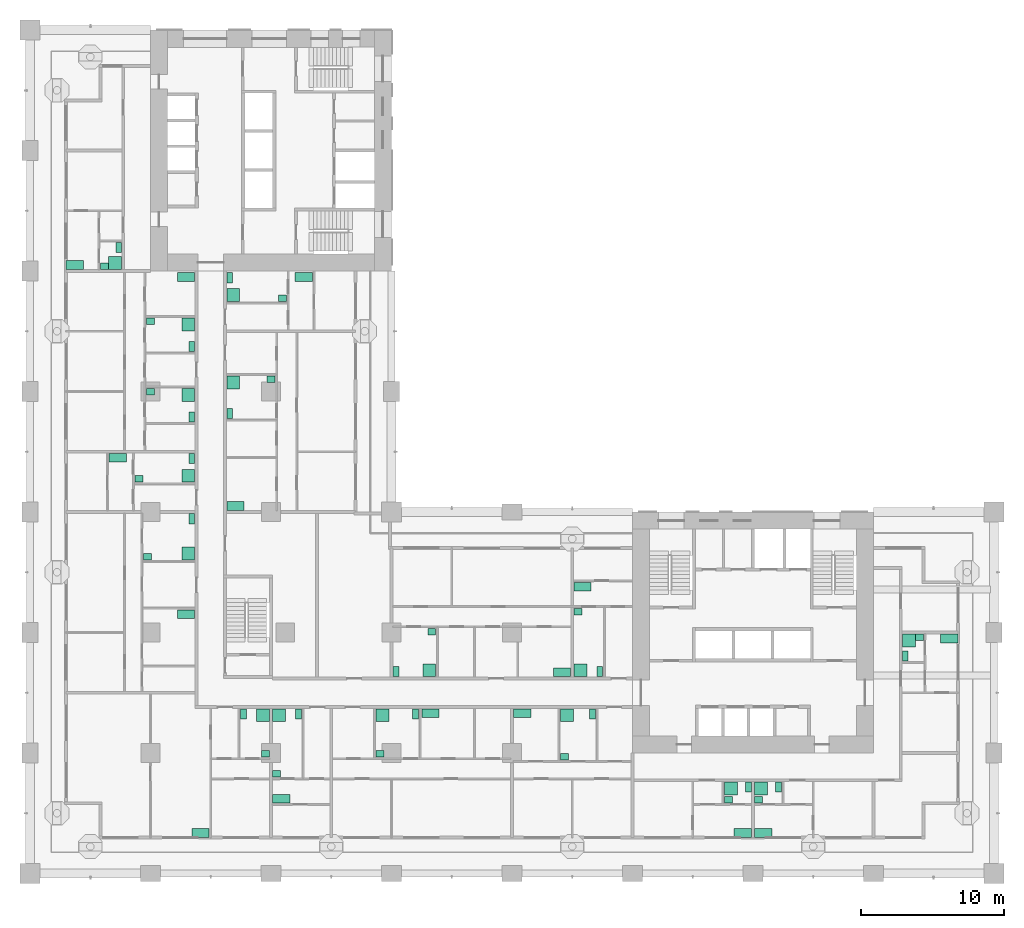
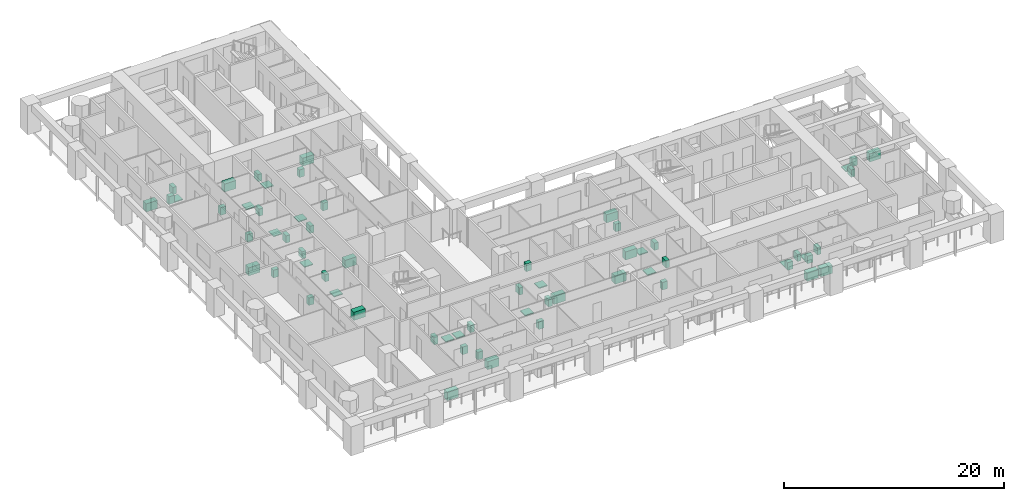
# One storey, part 19 of 21: 63 sanitary terminals.
"""IFC4 building model written with IfcOpenShell, lengths in metres."""

from ifc_helpers import new_model, si_unit, direction, frame, origin, origin_2d, place, context, subcontext, project, spatial, rectangle, extrude, material, element, save


model = new_model("IFC4")

# Units and contexts
model_context = context("Model", 3, precision=1e-05, world=origin(), true_north=direction((0.0, 1.0)))
body_context = subcontext(model_context, "Body", "Model", "MODEL_VIEW")
ifc_project = project(units=[si_unit("LENGTHUNIT", "METRE"), si_unit("AREAUNIT", "SQUARE_METRE"), si_unit("VOLUMEUNIT", "CUBIC_METRE"), si_unit("PLANEANGLEUNIT", "RADIAN"), si_unit("MASSUNIT", "GRAM", prefix="KILO")], contexts=[model_context])

# Site, building, storey
site_placement = place(None, origin())
site = spatial("IfcSite", under=ifc_project, at=site_placement, CompositionType="ELEMENT")
building_placement = place(site_placement, origin())
building = spatial("IfcBuilding", under=site, at=building_placement, Name="Vermilion Gate Residences", CompositionType="ELEMENT")
storey_placement = place(building_placement, frame((0.0, 0.0, 67.199951171875)))
storey = spatial("IfcBuildingStorey", under=building, at=storey_placement, Name="L16", CompositionType="ELEMENT", Elevation=67.199951171875)

# Sanitary terminals
ifc_material_1 = material(Name="Stainless steel", Category="steel")
sanitary_terminal_1_placement = place(storey_placement, frame((11.8798828125, 2.820068359375, 0.0), z_axis=(0.0, 0.0, 1.0), x_axis=(1.0, 0.0, 0.0)))
element("IfcSanitaryTerminal", 1, at=sanitary_terminal_1_placement, inside=storey, material=ifc_material_1, Name="Kitchen sink", PredefinedType="SINK", context=body_context, shape_type="SweptSolid", body=[
    extrude(rectangle(XDim=1.199951171875, YDim=0.60009765625, at=origin_2d()), origin(), (0.0, 0.0, 1.0), 0.89990234375),
])
ifc_material_2 = material(Name="Vitreous china")
sanitary_terminal_2_placement = place(storey_placement, frame((16.22998046875, 11.030029296875, 0.0), z_axis=(0.0, 0.0, 1.0), x_axis=(1.0, 0.0, 0.0)))
element("IfcSanitaryTerminal", 2, at=sanitary_terminal_2_placement, inside=storey, material=ifc_material_2, Name="Shower tray", PredefinedType="SHOWER", context=body_context, shape_type="SweptSolid", body=[
    extrude(rectangle(XDim=0.89990234375, YDim=0.89990234375, at=origin_2d()), origin(), (0.0, 0.0, 1.0), 0.10009765625),
])
sanitary_terminal_3_placement = place(storey_placement, frame((14.8798828125, 11.1298828125, 0.0), z_axis=(0.0, 0.0, 1.0), x_axis=(1.0, 0.0, 0.0)))
element("IfcSanitaryTerminal", 3, at=sanitary_terminal_3_placement, inside=storey, material=ifc_material_2, Name="Toilet", PredefinedType="TOILETPAN", context=body_context, shape_type="SweptSolid", body=[
    extrude(rectangle(XDim=0.39990234375, YDim=0.699951171875, at=origin_2d()), origin(), (0.0, 0.0, 1.0), 0.800048828125),
])
sanitary_terminal_4_placement = place(storey_placement, frame((16.405029296875, 8.344970703125, 0.0), z_axis=(0.0, 0.0, 1.0), x_axis=(1.0, 0.0, 0.0)))
element("IfcSanitaryTerminal", 4, at=sanitary_terminal_4_placement, inside=storey, material=ifc_material_2, Name="Wash basin", PredefinedType="WASHHANDBASIN", context=body_context, shape_type="SweptSolid", body=[
    extrude(rectangle(XDim=0.550048828125, YDim=0.449951171875, at=origin_2d()), origin(), (0.0, 0.0, 1.0), 0.85009765625),
])
sanitary_terminal_5_placement = place(storey_placement, frame((17.52001953125, 5.219970703125, 0.0), z_axis=(0.0, 0.0, 1.0), x_axis=(1.0, 0.0, 0.0)))
element("IfcSanitaryTerminal", 5, at=sanitary_terminal_5_placement, inside=storey, material=ifc_material_1, Name="Kitchen sink", PredefinedType="SINK", context=body_context, shape_type="SweptSolid", body=[
    extrude(rectangle(XDim=1.199951171875, YDim=0.60009765625, at=origin_2d()), origin(), (0.0, 0.0, 1.0), 0.89990234375),
])
sanitary_terminal_6_placement = place(storey_placement, frame((17.3701171875, 11.030029296875, 0.0), z_axis=(0.0, 0.0, 1.0), x_axis=(1.0, 0.0, 0.0)))
element("IfcSanitaryTerminal", 6, at=sanitary_terminal_6_placement, inside=storey, material=ifc_material_2, Name="Shower tray", PredefinedType="SHOWER", context=body_context, shape_type="SweptSolid", body=[
    extrude(rectangle(XDim=0.89990234375, YDim=0.89990234375, at=origin_2d()), origin(), (0.0, 0.0, 1.0), 0.10009765625),
])
sanitary_terminal_7_placement = place(storey_placement, frame((18.719970703125, 11.1298828125, 0.0), z_axis=(0.0, 0.0, 1.0), x_axis=(1.0, 0.0, 0.0)))
element("IfcSanitaryTerminal", 7, at=sanitary_terminal_7_placement, inside=storey, material=ifc_material_2, Name="Toilet", PredefinedType="TOILETPAN", context=body_context, shape_type="SweptSolid", body=[
    extrude(rectangle(XDim=0.39990234375, YDim=0.699951171875, at=origin_2d()), origin(), (0.0, 0.0, 1.0), 0.800048828125),
])
sanitary_terminal_8_placement = place(storey_placement, frame((17.195068359375, 6.945068359375, 0.0), z_axis=(0.0, 0.0, 1.0), x_axis=(1.0, 0.0, 0.0)))
element("IfcSanitaryTerminal", 8, at=sanitary_terminal_8_placement, inside=storey, material=ifc_material_2, Name="Wash basin", PredefinedType="WASHHANDBASIN", context=body_context, shape_type="SweptSolid", body=[
    extrude(rectangle(XDim=0.550048828125, YDim=0.449951171875, at=origin_2d()), origin(), (0.0, 0.0, 1.0), 0.85009765625),
])
sanitary_terminal_9_placement = place(storey_placement, frame((24.570068359375, 11.030029296875, 0.0), z_axis=(0.0, 0.0, 1.0), x_axis=(1.0, 0.0, 0.0)))
element("IfcSanitaryTerminal", 9, at=sanitary_terminal_9_placement, inside=storey, material=ifc_material_2, Name="Shower tray", PredefinedType="SHOWER", context=body_context, shape_type="SweptSolid", body=[
    extrude(rectangle(XDim=0.89990234375, YDim=0.89990234375, at=origin_2d()), origin(), (0.0, 0.0, 1.0), 0.10009765625),
])
sanitary_terminal_10_placement = place(storey_placement, frame((26.8798828125, 11.1298828125, 0.0), z_axis=(0.0, 0.0, 1.0), x_axis=(1.0, 0.0, 0.0)))
element("IfcSanitaryTerminal", 10, at=sanitary_terminal_10_placement, inside=storey, material=ifc_material_2, Name="Toilet", PredefinedType="TOILETPAN", context=body_context, shape_type="SweptSolid", body=[
    extrude(rectangle(XDim=0.39990234375, YDim=0.699951171875, at=origin_2d()), origin(), (0.0, 0.0, 1.0), 0.800048828125),
])
sanitary_terminal_11_placement = place(storey_placement, frame((24.39501953125, 8.344970703125, 0.0), z_axis=(0.0, 0.0, 1.0), x_axis=(1.0, 0.0, 0.0)))
element("IfcSanitaryTerminal", 11, at=sanitary_terminal_11_placement, inside=storey, material=ifc_material_2, Name="Wash basin", PredefinedType="WASHHANDBASIN", context=body_context, shape_type="SweptSolid", body=[
    extrude(rectangle(XDim=0.550048828125, YDim=0.449951171875, at=origin_2d()), origin(), (0.0, 0.0, 1.0), 0.85009765625),
])
for number, where, z_axis, x_axis, name in (
    (12, (27.919921875, 11.179931640625, 0.0), (0.0, 0.0, 1.0), (1.0, 0.0, 0.0), "Kitchen sink"),
    (13, (34.320068359375, 11.179931640625, 0.0), (0.0, 0.0, 1.0), (1.0, 0.0, 0.0), "Kitchen sink"),
):
    element("IfcSanitaryTerminal", number, at=place(storey_placement, frame(where, z_axis=z_axis, x_axis=x_axis)), inside=storey, material=ifc_material_1, Name=name, PredefinedType="SINK", context=body_context, shape_type="SweptSolid", body=[
        extrude(rectangle(XDim=1.199951171875, YDim=0.60009765625, at=origin_2d()), origin(), (0.0, 0.0, 1.0), 0.89990234375),
    ])
sanitary_terminal_12_placement = place(storey_placement, frame((37.43701171875, 11.030029296875, 0.0), z_axis=(0.0, 0.0, 1.0), x_axis=(1.0, 0.0, 0.0)))
element("IfcSanitaryTerminal", 14, at=sanitary_terminal_12_placement, inside=storey, material=ifc_material_2, Name="Shower tray", PredefinedType="SHOWER", context=body_context, shape_type="SweptSolid", body=[
    extrude(rectangle(XDim=0.89990234375, YDim=0.89990234375, at=origin_2d()), origin(), (0.0, 0.0, 1.0), 0.10009765625),
])
sanitary_terminal_13_placement = place(storey_placement, frame((39.212890625, 11.1298828125, 0.0), z_axis=(0.0, 0.0, 1.0), x_axis=(1.0, 0.0, 0.0)))
element("IfcSanitaryTerminal", 15, at=sanitary_terminal_13_placement, inside=storey, material=ifc_material_2, Name="Toilet", PredefinedType="TOILETPAN", context=body_context, shape_type="SweptSolid", body=[
    extrude(rectangle(XDim=0.39990234375, YDim=0.699951171875, at=origin_2d()), origin(), (0.0, 0.0, 1.0), 0.800048828125),
])
sanitary_terminal_14_placement = place(storey_placement, frame((37.261962890625, 8.14501953125, 0.0), z_axis=(0.0, 0.0, 1.0), x_axis=(1.0, 0.0, 0.0)))
element("IfcSanitaryTerminal", 16, at=sanitary_terminal_14_placement, inside=storey, material=ifc_material_2, Name="Wash basin", PredefinedType="WASHHANDBASIN", context=body_context, shape_type="SweptSolid", body=[
    extrude(rectangle(XDim=0.550048828125, YDim=0.449951171875, at=origin_2d()), origin(), (0.0, 0.0, 1.0), 0.85009765625),
])
sanitary_terminal_15_placement = place(storey_placement, frame((27.830078125, 14.169921875, 0.0), z_axis=(0.0, 0.0, 1.0), x_axis=(1.0, 0.0, 0.0)))
element("IfcSanitaryTerminal", 17, at=sanitary_terminal_15_placement, inside=storey, material=ifc_material_2, Name="Shower tray", PredefinedType="SHOWER", context=body_context, shape_type="SweptSolid", body=[
    extrude(rectangle(XDim=0.89990234375, YDim=0.89990234375, at=origin_2d()), origin(), (0.0, 0.0, 1.0), 0.10009765625),
])
sanitary_terminal_16_placement = place(storey_placement, frame((25.52001953125, 14.070068359375, 0.0), z_axis=(0.0, 0.0, 1.0), x_axis=(1.0, 0.0, 0.0)))
element("IfcSanitaryTerminal", 18, at=sanitary_terminal_16_placement, inside=storey, material=ifc_material_2, Name="Toilet", PredefinedType="TOILETPAN", context=body_context, shape_type="SweptSolid", body=[
    extrude(rectangle(XDim=0.39990234375, YDim=0.699951171875, at=origin_2d()), origin(), (0.0, 0.0, 1.0), 0.800048828125),
])
sanitary_terminal_17_placement = place(storey_placement, frame((28.0048828125, 16.85498046875, 0.0), z_axis=(0.0, 0.0, 1.0), x_axis=(1.0, 0.0, 0.0)))
element("IfcSanitaryTerminal", 19, at=sanitary_terminal_17_placement, inside=storey, material=ifc_material_2, Name="Wash basin", PredefinedType="WASHHANDBASIN", context=body_context, shape_type="SweptSolid", body=[
    extrude(rectangle(XDim=0.550048828125, YDim=0.449951171875, at=origin_2d()), origin(), (0.0, 0.0, 1.0), 0.85009765625),
])
for number, where, z_axis, x_axis, name in (
    (20, (37.080078125, 14.02001953125, 0.0), (0.0, 0.0, 1.0), (1.0, 0.0, 0.0), "Kitchen sink"),
    (21, (38.52001953125, 19.97998046875, 0.0), (0.0, 0.0, 1.0), (1.0, 0.0, 0.0), "Kitchen sink"),
):
    element("IfcSanitaryTerminal", number, at=place(storey_placement, frame(where, z_axis=z_axis, x_axis=x_axis)), inside=storey, material=ifc_material_1, Name=name, PredefinedType="SINK", context=body_context, shape_type="SweptSolid", body=[
        extrude(rectangle(XDim=1.199951171875, YDim=0.60009765625, at=origin_2d()), origin(), (0.0, 0.0, 1.0), 0.89990234375),
    ])
sanitary_terminal_18_placement = place(storey_placement, frame((38.3701171875, 14.169921875, 0.0), z_axis=(0.0, 0.0, 1.0), x_axis=(1.0, 0.0, 0.0)))
element("IfcSanitaryTerminal", 22, at=sanitary_terminal_18_placement, inside=storey, material=ifc_material_2, Name="Shower tray", PredefinedType="SHOWER", context=body_context, shape_type="SweptSolid", body=[
    extrude(rectangle(XDim=0.89990234375, YDim=0.89990234375, at=origin_2d()), origin(), (0.0, 0.0, 1.0), 0.10009765625),
])
sanitary_terminal_19_placement = place(storey_placement, frame((39.719970703125, 14.070068359375, 0.0), z_axis=(0.0, 0.0, 1.0), x_axis=(1.0, 0.0, 0.0)))
element("IfcSanitaryTerminal", 23, at=sanitary_terminal_19_placement, inside=storey, material=ifc_material_2, Name="Toilet", PredefinedType="TOILETPAN", context=body_context, shape_type="SweptSolid", body=[
    extrude(rectangle(XDim=0.39990234375, YDim=0.699951171875, at=origin_2d()), origin(), (0.0, 0.0, 1.0), 0.800048828125),
])
sanitary_terminal_20_placement = place(storey_placement, frame((38.195068359375, 18.2548828125, 0.0), z_axis=(0.0, 0.0, 1.0), x_axis=(1.0, 0.0, 0.0)))
element("IfcSanitaryTerminal", 24, at=sanitary_terminal_20_placement, inside=storey, material=ifc_material_2, Name="Wash basin", PredefinedType="WASHHANDBASIN", context=body_context, shape_type="SweptSolid", body=[
    extrude(rectangle(XDim=0.550048828125, YDim=0.449951171875, at=origin_2d()), origin(), (0.0, 0.0, 1.0), 0.85009765625),
])
sanitary_terminal_21_placement = place(storey_placement, frame((10.8798828125, 18.080078125, 0.0), z_axis=(0.0, 0.0, 1.0), x_axis=(1.0, 0.0, 0.0)))
element("IfcSanitaryTerminal", 25, at=sanitary_terminal_21_placement, inside=storey, material=ifc_material_1, Name="Kitchen sink", PredefinedType="SINK", context=body_context, shape_type="SweptSolid", body=[
    extrude(rectangle(XDim=1.199951171875, YDim=0.60009765625, at=origin_2d()), origin(), (0.0, 0.0, 1.0), 0.89990234375),
])
sanitary_terminal_22_placement = place(storey_placement, frame((11.030029296875, 22.320068359375, 0.0), z_axis=(0.0, 0.0, 1.0), x_axis=(1.0, 0.0, 0.0)))
element("IfcSanitaryTerminal", 26, at=sanitary_terminal_22_placement, inside=storey, material=ifc_material_2, Name="Shower tray", PredefinedType="SHOWER", context=body_context, shape_type="SweptSolid", body=[
    extrude(rectangle(XDim=0.89990234375, YDim=0.89990234375, at=origin_2d()), origin(), (0.0, 0.0, 1.0), 0.10009765625),
])
sanitary_terminal_23_placement = place(storey_placement, frame((11.280029296875, 24.72998046875, 0.0), z_axis=(0.0, 0.0, 1.0), x_axis=(1.0, 0.0, 0.0)))
element("IfcSanitaryTerminal", 27, at=sanitary_terminal_23_placement, inside=storey, material=ifc_material_2, Name="Toilet", PredefinedType="TOILETPAN", context=body_context, shape_type="SweptSolid", body=[
    extrude(rectangle(XDim=0.39990234375, YDim=0.699951171875, at=origin_2d()), origin(), (0.0, 0.0, 1.0), 0.800048828125),
])
sanitary_terminal_24_placement = place(storey_placement, frame((8.195068359375, 22.094970703125, 0.0), z_axis=(0.0, 0.0, 1.0), x_axis=(1.0, 0.0, 0.0)))
element("IfcSanitaryTerminal", 28, at=sanitary_terminal_24_placement, inside=storey, material=ifc_material_2, Name="Wash basin", PredefinedType="WASHHANDBASIN", context=body_context, shape_type="SweptSolid", body=[
    extrude(rectangle(XDim=0.550048828125, YDim=0.449951171875, at=origin_2d()), origin(), (0.0, 0.0, 1.0), 0.85009765625),
])
sanitary_terminal_25_placement = place(storey_placement, frame((6.1201171875, 28.97998046875, 0.0), z_axis=(0.0, 0.0, 1.0), x_axis=(1.0, 0.0, 0.0)))
element("IfcSanitaryTerminal", 29, at=sanitary_terminal_25_placement, inside=storey, material=ifc_material_1, Name="Kitchen sink", PredefinedType="SINK", context=body_context, shape_type="SweptSolid", body=[
    extrude(rectangle(XDim=1.199951171875, YDim=0.60009765625, at=origin_2d()), origin(), (0.0, 0.0, 1.0), 0.89990234375),
])
sanitary_terminal_26_placement = place(storey_placement, frame((11.030029296875, 27.72998046875, 0.0), z_axis=(0.0, 0.0, 1.0), x_axis=(1.0, 0.0, 0.0)))
element("IfcSanitaryTerminal", 30, at=sanitary_terminal_26_placement, inside=storey, material=ifc_material_2, Name="Shower tray", PredefinedType="SHOWER", context=body_context, shape_type="SweptSolid", body=[
    extrude(rectangle(XDim=0.89990234375, YDim=0.89990234375, at=origin_2d()), origin(), (0.0, 0.0, 1.0), 0.10009765625),
])
sanitary_terminal_27_placement = place(storey_placement, frame((11.280029296875, 28.929931640625, 0.0), z_axis=(0.0, 0.0, 1.0), x_axis=(1.0, 0.0, 0.0)))
element("IfcSanitaryTerminal", 31, at=sanitary_terminal_27_placement, inside=storey, material=ifc_material_2, Name="Toilet", PredefinedType="TOILETPAN", context=body_context, shape_type="SweptSolid", body=[
    extrude(rectangle(XDim=0.39990234375, YDim=0.699951171875, at=origin_2d()), origin(), (0.0, 0.0, 1.0), 0.800048828125),
])
sanitary_terminal_28_placement = place(storey_placement, frame((7.594970703125, 27.5048828125, 0.0), z_axis=(0.0, 0.0, 1.0), x_axis=(1.0, 0.0, 0.0)))
element("IfcSanitaryTerminal", 32, at=sanitary_terminal_28_placement, inside=storey, material=ifc_material_2, Name="Wash basin", PredefinedType="WASHHANDBASIN", context=body_context, shape_type="SweptSolid", body=[
    extrude(rectangle(XDim=0.550048828125, YDim=0.449951171875, at=origin_2d()), origin(), (0.0, 0.0, 1.0), 0.85009765625),
])
sanitary_terminal_29_placement = place(storey_placement, frame((11.030029296875, 33.35009765625, 0.0), z_axis=(0.0, 0.0, 1.0), x_axis=(1.0, 0.0, 0.0)))
element("IfcSanitaryTerminal", 33, at=sanitary_terminal_29_placement, inside=storey, material=ifc_material_2, Name="Shower tray", PredefinedType="SHOWER", context=body_context, shape_type="SweptSolid", body=[
    extrude(rectangle(XDim=0.89990234375, YDim=0.89990234375, at=origin_2d()), origin(), (0.0, 0.0, 1.0), 0.10009765625),
])
sanitary_terminal_30_placement = place(storey_placement, frame((11.280029296875, 31.830078125, 0.0), z_axis=(0.0, 0.0, 1.0), x_axis=(1.0, 0.0, 0.0)))
element("IfcSanitaryTerminal", 34, at=sanitary_terminal_30_placement, inside=storey, material=ifc_material_2, Name="Toilet", PredefinedType="TOILETPAN", context=body_context, shape_type="SweptSolid", body=[
    extrude(rectangle(XDim=0.39990234375, YDim=0.699951171875, at=origin_2d()), origin(), (0.0, 0.0, 1.0), 0.800048828125),
])
sanitary_terminal_31_placement = place(storey_placement, frame((8.39501953125, 33.574951171875, 0.0), z_axis=(0.0, 0.0, 1.0), x_axis=(1.0, 0.0, 0.0)))
element("IfcSanitaryTerminal", 35, at=sanitary_terminal_31_placement, inside=storey, material=ifc_material_2, Name="Wash basin", PredefinedType="WASHHANDBASIN", context=body_context, shape_type="SweptSolid", body=[
    extrude(rectangle(XDim=0.550048828125, YDim=0.449951171875, at=origin_2d()), origin(), (0.0, 0.0, 1.0), 0.85009765625),
])
sanitary_terminal_32_placement = place(storey_placement, frame((11.030029296875, 38.27001953125, 0.0), z_axis=(0.0, 0.0, 1.0), x_axis=(1.0, 0.0, 0.0)))
element("IfcSanitaryTerminal", 36, at=sanitary_terminal_32_placement, inside=storey, material=ifc_material_2, Name="Shower tray", PredefinedType="SHOWER", context=body_context, shape_type="SweptSolid", body=[
    extrude(rectangle(XDim=0.89990234375, YDim=0.89990234375, at=origin_2d()), origin(), (0.0, 0.0, 1.0), 0.10009765625),
])
sanitary_terminal_33_placement = place(storey_placement, frame((11.280029296875, 36.75, 0.0), z_axis=(0.0, 0.0, 1.0), x_axis=(1.0, 0.0, 0.0)))
element("IfcSanitaryTerminal", 37, at=sanitary_terminal_33_placement, inside=storey, material=ifc_material_2, Name="Toilet", PredefinedType="TOILETPAN", context=body_context, shape_type="SweptSolid", body=[
    extrude(rectangle(XDim=0.39990234375, YDim=0.699951171875, at=origin_2d()), origin(), (0.0, 0.0, 1.0), 0.800048828125),
])
sanitary_terminal_34_placement = place(storey_placement, frame((8.39501953125, 38.4951171875, 0.0), z_axis=(0.0, 0.0, 1.0), x_axis=(1.0, 0.0, 0.0)))
element("IfcSanitaryTerminal", 38, at=sanitary_terminal_34_placement, inside=storey, material=ifc_material_2, Name="Wash basin", PredefinedType="WASHHANDBASIN", context=body_context, shape_type="SweptSolid", body=[
    extrude(rectangle(XDim=0.550048828125, YDim=0.449951171875, at=origin_2d()), origin(), (0.0, 0.0, 1.0), 0.85009765625),
])
for number, where, z_axis, x_axis, name in (
    (39, (10.8798828125, 41.580078125, 0.0), (0.0, 0.0, 1.0), (1.0, 0.0, 0.0), "Kitchen sink"),
    (40, (14.320068359375, 25.6201171875, 0.0), (0.0, 0.0, 1.0), (1.0, 0.0, 0.0), "Kitchen sink"),
):
    element("IfcSanitaryTerminal", number, at=place(storey_placement, frame(where, z_axis=z_axis, x_axis=x_axis)), inside=storey, material=ifc_material_1, Name=name, PredefinedType="SINK", context=body_context, shape_type="SweptSolid", body=[
        extrude(rectangle(XDim=1.199951171875, YDim=0.60009765625, at=origin_2d()), origin(), (0.0, 0.0, 1.0), 0.89990234375),
    ])
sanitary_terminal_35_placement = place(storey_placement, frame((14.169921875, 34.22998046875, 0.0), z_axis=(0.0, 0.0, 1.0), x_axis=(1.0, 0.0, 0.0)))
element("IfcSanitaryTerminal", 41, at=sanitary_terminal_35_placement, inside=storey, material=ifc_material_2, Name="Shower tray", PredefinedType="SHOWER", context=body_context, shape_type="SweptSolid", body=[
    extrude(rectangle(XDim=0.89990234375, YDim=0.89990234375, at=origin_2d()), origin(), (0.0, 0.0, 1.0), 0.10009765625),
])
sanitary_terminal_36_placement = place(storey_placement, frame((13.919921875, 32.070068359375, 0.0), z_axis=(0.0, 0.0, 1.0), x_axis=(1.0, 0.0, 0.0)))
element("IfcSanitaryTerminal", 42, at=sanitary_terminal_36_placement, inside=storey, material=ifc_material_2, Name="Toilet", PredefinedType="TOILETPAN", context=body_context, shape_type="SweptSolid", body=[
    extrude(rectangle(XDim=0.39990234375, YDim=0.699951171875, at=origin_2d()), origin(), (0.0, 0.0, 1.0), 0.800048828125),
])
sanitary_terminal_37_placement = place(storey_placement, frame((16.804931640625, 34.455078125, 0.0), z_axis=(0.0, 0.0, 1.0), x_axis=(1.0, 0.0, 0.0)))
element("IfcSanitaryTerminal", 43, at=sanitary_terminal_37_placement, inside=storey, material=ifc_material_2, Name="Wash basin", PredefinedType="WASHHANDBASIN", context=body_context, shape_type="SweptSolid", body=[
    extrude(rectangle(XDim=0.550048828125, YDim=0.449951171875, at=origin_2d()), origin(), (0.0, 0.0, 1.0), 0.85009765625),
])
sanitary_terminal_38_placement = place(storey_placement, frame((19.080078125, 41.580078125, 0.0), z_axis=(0.0, 0.0, 1.0), x_axis=(1.0, 0.0, 0.0)))
element("IfcSanitaryTerminal", 44, at=sanitary_terminal_38_placement, inside=storey, material=ifc_material_1, Name="Kitchen sink", PredefinedType="SINK", context=body_context, shape_type="SweptSolid", body=[
    extrude(rectangle(XDim=1.199951171875, YDim=0.60009765625, at=origin_2d()), origin(), (0.0, 0.0, 1.0), 0.89990234375),
])
sanitary_terminal_39_placement = place(storey_placement, frame((14.169921875, 40.330078125, 0.0), z_axis=(0.0, 0.0, 1.0), x_axis=(1.0, 0.0, 0.0)))
element("IfcSanitaryTerminal", 45, at=sanitary_terminal_39_placement, inside=storey, material=ifc_material_2, Name="Shower tray", PredefinedType="SHOWER", context=body_context, shape_type="SweptSolid", body=[
    extrude(rectangle(XDim=0.89990234375, YDim=0.89990234375, at=origin_2d()), origin(), (0.0, 0.0, 1.0), 0.10009765625),
])
sanitary_terminal_40_placement = place(storey_placement, frame((13.919921875, 41.530029296875, 0.0), z_axis=(0.0, 0.0, 1.0), x_axis=(1.0, 0.0, 0.0)))
element("IfcSanitaryTerminal", 46, at=sanitary_terminal_40_placement, inside=storey, material=ifc_material_2, Name="Toilet", PredefinedType="TOILETPAN", context=body_context, shape_type="SweptSolid", body=[
    extrude(rectangle(XDim=0.39990234375, YDim=0.699951171875, at=origin_2d()), origin(), (0.0, 0.0, 1.0), 0.800048828125),
])
sanitary_terminal_41_placement = place(storey_placement, frame((17.60498046875, 40.10498046875, 0.0), z_axis=(0.0, 0.0, 1.0), x_axis=(1.0, 0.0, 0.0)))
element("IfcSanitaryTerminal", 47, at=sanitary_terminal_41_placement, inside=storey, material=ifc_material_2, Name="Wash basin", PredefinedType="WASHHANDBASIN", context=body_context, shape_type="SweptSolid", body=[
    extrude(rectangle(XDim=0.550048828125, YDim=0.449951171875, at=origin_2d()), origin(), (0.0, 0.0, 1.0), 0.85009765625),
])
sanitary_terminal_42_placement = place(storey_placement, frame((49.679931640625, 2.820068359375, 0.0), z_axis=(0.0, 0.0, 1.0), x_axis=(1.0, 0.0, 0.0)))
element("IfcSanitaryTerminal", 48, at=sanitary_terminal_42_placement, inside=storey, material=ifc_material_1, Name="Kitchen sink", PredefinedType="SINK", context=body_context, shape_type="SweptSolid", body=[
    extrude(rectangle(XDim=1.199951171875, YDim=0.60009765625, at=origin_2d()), origin(), (0.0, 0.0, 1.0), 0.89990234375),
])
sanitary_terminal_43_placement = place(storey_placement, frame((48.8701171875, 5.929931640625, 0.0), z_axis=(0.0, 0.0, 1.0), x_axis=(1.0, 0.0, 0.0)))
element("IfcSanitaryTerminal", 49, at=sanitary_terminal_43_placement, inside=storey, material=ifc_material_2, Name="Shower tray", PredefinedType="SHOWER", context=body_context, shape_type="SweptSolid", body=[
    extrude(rectangle(XDim=0.89990234375, YDim=0.89990234375, at=origin_2d()), origin(), (0.0, 0.0, 1.0), 0.10009765625),
])
sanitary_terminal_44_placement = place(storey_placement, frame((50.080078125, 6.030029296875, 0.0), z_axis=(0.0, 0.0, 1.0), x_axis=(1.0, 0.0, 0.0)))
element("IfcSanitaryTerminal", 50, at=sanitary_terminal_44_placement, inside=storey, material=ifc_material_2, Name="Toilet", PredefinedType="TOILETPAN", context=body_context, shape_type="SweptSolid", body=[
    extrude(rectangle(XDim=0.39990234375, YDim=0.699951171875, at=origin_2d()), origin(), (0.0, 0.0, 1.0), 0.800048828125),
])
sanitary_terminal_45_placement = place(storey_placement, frame((48.695068359375, 5.14501953125, 0.0), z_axis=(0.0, 0.0, 1.0), x_axis=(1.0, 0.0, 0.0)))
element("IfcSanitaryTerminal", 51, at=sanitary_terminal_45_placement, inside=storey, material=ifc_material_2, Name="Wash basin", PredefinedType="WASHHANDBASIN", context=body_context, shape_type="SweptSolid", body=[
    extrude(rectangle(XDim=0.550048828125, YDim=0.449951171875, at=origin_2d()), origin(), (0.0, 0.0, 1.0), 0.85009765625),
])
sanitary_terminal_46_placement = place(storey_placement, frame((51.1201171875, 2.820068359375, 0.0), z_axis=(0.0, 0.0, 1.0), x_axis=(1.0, 0.0, 0.0)))
element("IfcSanitaryTerminal", 52, at=sanitary_terminal_46_placement, inside=storey, material=ifc_material_1, Name="Kitchen sink", PredefinedType="SINK", context=body_context, shape_type="SweptSolid", body=[
    extrude(rectangle(XDim=1.199951171875, YDim=0.60009765625, at=origin_2d()), origin(), (0.0, 0.0, 1.0), 0.89990234375),
])
sanitary_terminal_47_placement = place(storey_placement, frame((50.969970703125, 5.929931640625, 0.0), z_axis=(0.0, 0.0, 1.0), x_axis=(1.0, 0.0, 0.0)))
element("IfcSanitaryTerminal", 53, at=sanitary_terminal_47_placement, inside=storey, material=ifc_material_2, Name="Shower tray", PredefinedType="SHOWER", context=body_context, shape_type="SweptSolid", body=[
    extrude(rectangle(XDim=0.89990234375, YDim=0.89990234375, at=origin_2d()), origin(), (0.0, 0.0, 1.0), 0.10009765625),
])
sanitary_terminal_48_placement = place(storey_placement, frame((52.179931640625, 6.030029296875, 0.0), z_axis=(0.0, 0.0, 1.0), x_axis=(1.0, 0.0, 0.0)))
element("IfcSanitaryTerminal", 54, at=sanitary_terminal_48_placement, inside=storey, material=ifc_material_2, Name="Toilet", PredefinedType="TOILETPAN", context=body_context, shape_type="SweptSolid", body=[
    extrude(rectangle(XDim=0.39990234375, YDim=0.699951171875, at=origin_2d()), origin(), (0.0, 0.0, 1.0), 0.800048828125),
])
sanitary_terminal_49_placement = place(storey_placement, frame((50.794921875, 5.14501953125, 0.0), z_axis=(0.0, 0.0, 1.0), x_axis=(1.0, 0.0, 0.0)))
element("IfcSanitaryTerminal", 55, at=sanitary_terminal_49_placement, inside=storey, material=ifc_material_2, Name="Wash basin", PredefinedType="WASHHANDBASIN", context=body_context, shape_type="SweptSolid", body=[
    extrude(rectangle(XDim=0.550048828125, YDim=0.449951171875, at=origin_2d()), origin(), (0.0, 0.0, 1.0), 0.85009765625),
])
sanitary_terminal_50_placement = place(storey_placement, frame((64.080078125, 16.3798828125, 0.0), z_axis=(0.0, 0.0, 1.0), x_axis=(1.0, 0.0, 0.0)))
element("IfcSanitaryTerminal", 56, at=sanitary_terminal_50_placement, inside=storey, material=ifc_material_1, Name="Kitchen sink", PredefinedType="SINK", context=body_context, shape_type="SweptSolid", body=[
    extrude(rectangle(XDim=1.199951171875, YDim=0.60009765625, at=origin_2d()), origin(), (0.0, 0.0, 1.0), 0.89990234375),
])
sanitary_terminal_51_placement = place(storey_placement, frame((61.27001953125, 16.22998046875, 0.0), z_axis=(0.0, 0.0, 1.0), x_axis=(1.0, 0.0, 0.0)))
element("IfcSanitaryTerminal", 57, at=sanitary_terminal_51_placement, inside=storey, material=ifc_material_2, Name="Shower tray", PredefinedType="SHOWER", context=body_context, shape_type="SweptSolid", body=[
    extrude(rectangle(XDim=0.89990234375, YDim=0.89990234375, at=origin_2d()), origin(), (0.0, 0.0, 1.0), 0.10009765625),
])
sanitary_terminal_52_placement = place(storey_placement, frame((61.02001953125, 15.169921875, 0.0), z_axis=(0.0, 0.0, 1.0), x_axis=(1.0, 0.0, 0.0)))
element("IfcSanitaryTerminal", 58, at=sanitary_terminal_52_placement, inside=storey, material=ifc_material_2, Name="Toilet", PredefinedType="TOILETPAN", context=body_context, shape_type="SweptSolid", body=[
    extrude(rectangle(XDim=0.39990234375, YDim=0.699951171875, at=origin_2d()), origin(), (0.0, 0.0, 1.0), 0.800048828125),
])
sanitary_terminal_53_placement = place(storey_placement, frame((62.0048828125, 16.455078125, 0.0), z_axis=(0.0, 0.0, 1.0), x_axis=(1.0, 0.0, 0.0)))
element("IfcSanitaryTerminal", 59, at=sanitary_terminal_53_placement, inside=storey, material=ifc_material_2, Name="Wash basin", PredefinedType="WASHHANDBASIN", context=body_context, shape_type="SweptSolid", body=[
    extrude(rectangle(XDim=0.550048828125, YDim=0.449951171875, at=origin_2d()), origin(), (0.0, 0.0, 1.0), 0.85009765625),
])
sanitary_terminal_54_placement = place(storey_placement, frame((3.1201171875, 42.419921875, 0.0), z_axis=(0.0, 0.0, 1.0), x_axis=(1.0, 0.0, 0.0)))
element("IfcSanitaryTerminal", 60, at=sanitary_terminal_54_placement, inside=storey, material=ifc_material_1, Name="Kitchen sink", PredefinedType="SINK", context=body_context, shape_type="SweptSolid", body=[
    extrude(rectangle(XDim=1.199951171875, YDim=0.60009765625, at=origin_2d()), origin(), (0.0, 0.0, 1.0), 0.89990234375),
])
sanitary_terminal_55_placement = place(storey_placement, frame((5.929931640625, 42.570068359375, 0.0), z_axis=(0.0, 0.0, 1.0), x_axis=(1.0, 0.0, 0.0)))
element("IfcSanitaryTerminal", 61, at=sanitary_terminal_55_placement, inside=storey, material=ifc_material_2, Name="Shower tray", PredefinedType="SHOWER", context=body_context, shape_type="SweptSolid", body=[
    extrude(rectangle(XDim=0.89990234375, YDim=0.89990234375, at=origin_2d()), origin(), (0.0, 0.0, 1.0), 0.10009765625),
])
sanitary_terminal_56_placement = place(storey_placement, frame((6.179931640625, 43.6298828125, 0.0), z_axis=(0.0, 0.0, 1.0), x_axis=(1.0, 0.0, 0.0)))
element("IfcSanitaryTerminal", 62, at=sanitary_terminal_56_placement, inside=storey, material=ifc_material_2, Name="Toilet", PredefinedType="TOILETPAN", context=body_context, shape_type="SweptSolid", body=[
    extrude(rectangle(XDim=0.39990234375, YDim=0.699951171875, at=origin_2d()), origin(), (0.0, 0.0, 1.0), 0.800048828125),
])
sanitary_terminal_57_placement = place(storey_placement, frame((5.195068359375, 42.344970703125, 0.0), z_axis=(0.0, 0.0, 1.0), x_axis=(1.0, 0.0, 0.0)))
element("IfcSanitaryTerminal", 63, at=sanitary_terminal_57_placement, inside=storey, material=ifc_material_2, Name="Wash basin", PredefinedType="WASHHANDBASIN", context=body_context, shape_type="SweptSolid", body=[
    extrude(rectangle(XDim=0.550048828125, YDim=0.449951171875, at=origin_2d()), origin(), (0.0, 0.0, 1.0), 0.85009765625),
])

save(model, "model.ifc")
